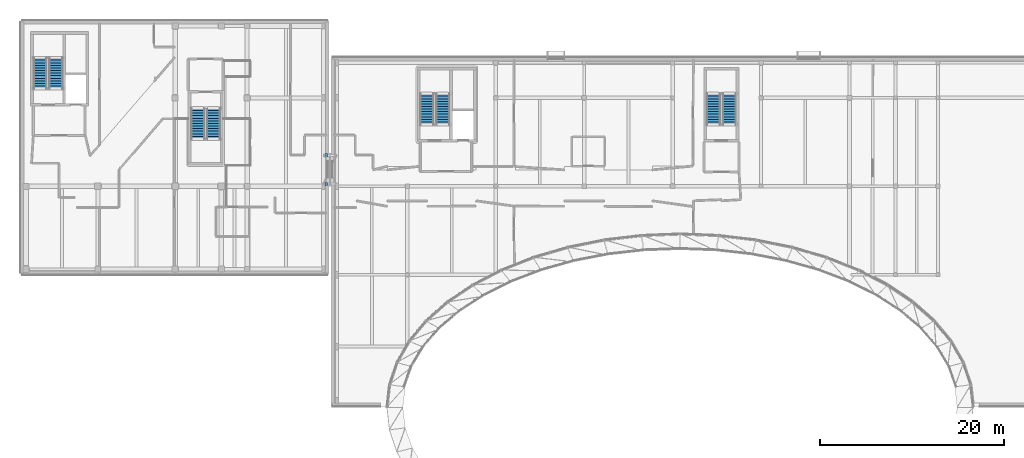
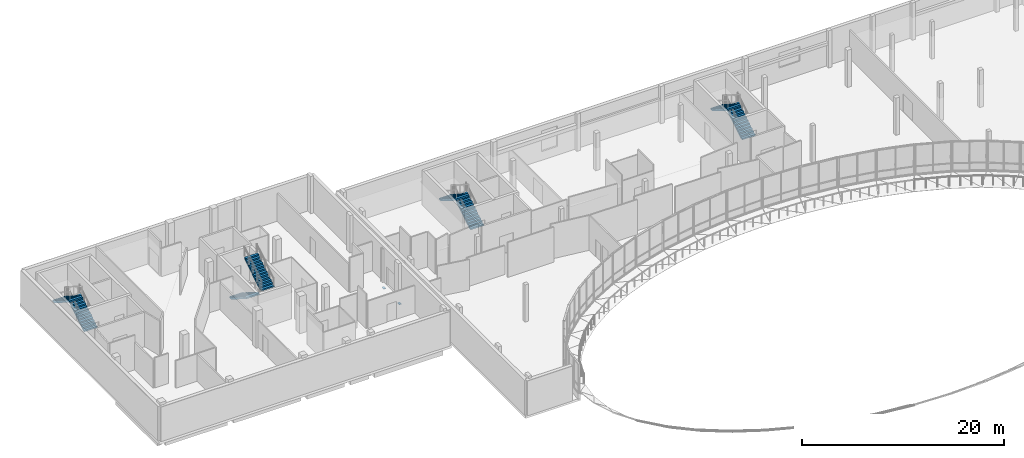
# One storey, part 29 of 41: 8 stair flights, 2 discrete accessories, 4 elements without a shape of their own.
"""IFC4 building model written with IfcOpenShell, lengths in metres."""

import ifcopenshell
import ifcopenshell.guid

model = None  # the IFC model being written
_history = None  # IfcOwnerHistory: only IFC2X3 demands one
_inside = {}  # id of a spatial element -> (the spatial element, [elements in it])
_under = {}  # id of a project, library or spatial element -> (it, [spatial elements below it])
_declared = {}  # id of a project -> (the project, [libraries it declares])
_typed = {}  # id of a type object -> (the type object, [elements of that type])
_made_of = {}  # id of a material, layer set ... -> (it, [elements and type objects made of it])


def new_model(schema):
    """Start an empty IFC model of exactly this schema.

    Asked for "IFC4X3", IfcOpenShell would pick the latest addendum, in which some entities
    have other attributes; the version numbers below select the first issue.
    IFC2X3 requires an IfcOwnerHistory on every rooted entity: one is made here for all.
    """
    global model, _history
    if schema == "IFC4X3":
        model = ifcopenshell.file(schema_version=(4, 3, 0, 0))
    else:
        model = ifcopenshell.file(schema=schema)
    _inside.clear()
    _under.clear()
    _declared.clear()
    _typed.clear()
    _made_of.clear()
    _history = None
    if model.schema == "IFC2X3":
        org = make("IfcOrganization", Name="unknown")
        user = make(
            "IfcPersonAndOrganization",
            ThePerson=make("IfcPerson", FamilyName="unknown"),
            TheOrganization=org,
        )
        app = make(
            "IfcApplication",
            ApplicationDeveloper=org,
            Version="unknown",
            ApplicationFullName="unknown",
            ApplicationIdentifier="unknown",
        )
        _history = make(
            "IfcOwnerHistory",
            OwningUser=user,
            OwningApplication=app,
            ChangeAction="ADDED",
            CreationDate=0,
        )
    return model


def make(cls, **values):
    """One entity of the class cls with the attributes given. An attribute that is None is left unset."""
    return model.create_entity(
        cls, **{name: value for name, value in values.items() if value is not None}
    )


def rooted(cls, **values):
    """An entity with a GlobalId (a new one), such as an element, a storey or a relation."""
    return make(cls, GlobalId=ifcopenshell.guid.new(), OwnerHistory=_history, **values)


def si_unit(unit_type, name, prefix=None):
    """IfcSIUnit, for example si_unit("LENGTHUNIT", "METRE", prefix="MILLI")."""
    return make("IfcSIUnit", UnitType=unit_type, Prefix=prefix, Name=name)


def assignment(units):
    """IfcUnitAssignment: the units of a project."""
    return None if units is None else make("IfcUnitAssignment", Units=units)


def point(xyz):
    """IfcCartesianPoint."""
    return None if xyz is None else make("IfcCartesianPoint", Coordinates=xyz)


def direction(xyz):
    """IfcDirection."""
    return None if xyz is None else make("IfcDirection", DirectionRatios=xyz)


def frame(location, z_axis=None, x_axis=None):
    """IfcAxis2Placement3D, a coordinate frame: its origin and axes. An axis left out is left unset."""
    return make(
        "IfcAxis2Placement3D",
        Location=point(location),
        Axis=direction(z_axis),
        RefDirection=direction(x_axis),
    )


def frame_2d(location, x_axis=None):
    """IfcAxis2Placement2D, a coordinate frame in the plane: its origin and x axis."""
    return make(
        "IfcAxis2Placement2D", Location=point(location), RefDirection=direction(x_axis)
    )


def origin():
    """The frame at (0, 0, 0) with its axes left unset."""
    return frame((0.0, 0.0, 0.0))


def origin_2d():
    """The frame at (0, 0) in the plane with its x axis left unset."""
    return frame_2d((0.0, 0.0))


def place(relative_to, where):
    """IfcLocalPlacement: puts the frame where relative to a parent placement (None: the world)."""
    return make(
        "IfcLocalPlacement", PlacementRelTo=relative_to, RelativePlacement=where
    )


def context(
    kind, dimensions, precision=None, world=None, true_north=None, identifier=None
):
    """IfcGeometricRepresentationContext, for example the 3D "Model" context."""
    return make(
        "IfcGeometricRepresentationContext",
        ContextIdentifier=identifier,
        ContextType=kind,
        CoordinateSpaceDimension=dimensions,
        Precision=precision,
        WorldCoordinateSystem=world,
        TrueNorth=true_north,
    )


def subcontext(parent, identifier, kind, view, scale=None):
    """IfcGeometricRepresentationSubContext, for example "Body" below "Model"."""
    return make(
        "IfcGeometricRepresentationSubContext",
        ContextIdentifier=identifier,
        ContextType=kind,
        ParentContext=parent,
        TargetScale=scale,
        TargetView=view,
    )


def project(units=None, contexts=None):
    """IfcProject with its units and contexts."""
    return rooted(
        "IfcProject",
        Name="project",
        RepresentationContexts=contexts,
        UnitsInContext=assignment(units),
    )


def spatial(cls, under=None, at=None, **own):
    """A site, building, storey or space (cls), placed at a placement, below another one or the project."""
    s = rooted(cls, ObjectPlacement=at, **own)
    if under is not None:
        _under.setdefault(under.id(), (under, []))[1].append(s)
    return s


def polyline(points):
    """IfcPolyline through the points."""
    return make("IfcPolyline", Points=[point(p) for p in points])


def profile(cls, at=None, kind="AREA", **sizes):
    """A parametric profile (cls). Its sizes go by their IFC names, for example OverallWidth=200.0."""
    return make(cls, ProfileType=kind, Position=at, **sizes)


def rectangle(**sizes):
    """IfcRectangleProfileDef."""
    return profile("IfcRectangleProfileDef", **sizes)


def outline(outer, holes=None, kind="AREA"):
    """IfcArbitraryClosedProfileDef: a profile drawn as a closed curve; with holes, ...WithVoids."""
    if holes is None:
        return make("IfcArbitraryClosedProfileDef", ProfileType=kind, OuterCurve=outer)
    return make(
        "IfcArbitraryProfileDefWithVoids",
        ProfileType=kind,
        OuterCurve=outer,
        InnerCurves=holes,
    )


def extrude(swept, where, along, depth):
    """IfcExtrudedAreaSolid: the profile swept, set in the frame where, extruded along a direction by depth."""
    return make(
        "IfcExtrudedAreaSolid",
        SweptArea=swept,
        Position=where,
        ExtrudedDirection=direction(along),
        Depth=depth,
    )


def shape(context_of_items, identifier, shape_type, items):
    """IfcShapeRepresentation: the items that make up one representation, for example the "Body"."""
    return make(
        "IfcShapeRepresentation",
        ContextOfItems=context_of_items,
        RepresentationIdentifier=identifier,
        RepresentationType=shape_type,
        Items=items,
    )


def material(Name=None, Category=None):
    """IfcMaterial."""
    return make("IfcMaterial", Name=Name, Category=Category)


def made_of(thing, what):
    """Note that an element or type object is made of a material, layer set ...; save() writes the relation."""
    if what is not None:
        _made_of.setdefault(what.id(), (what, []))[1].append(thing)
    return thing


def type_object(cls, material=None, **own):
    """A type object (cls), such as IfcWallType, which elements share."""
    return made_of(rooted(cls, **own), material)


def element(
    cls,
    number,
    at=None,
    inside=None,
    cuts=None,
    type_object=None,
    material=None,
    context=None,
    identifier="Body",
    shape_type=None,
    held_by="IfcProductDefinitionShape",
    body=None,
    shapes=None,
    **own,
):
    """One element of the class cls, such as IfcWall. Its Tag is "e" and its number.

    at: its placement. inside: the storey or other place that contains it. cuts: it is an
    opening in that element (IfcRelVoidsElement). A single representation is given by context,
    identifier, shape_type and body (its items); several are given by shapes. held_by: the class
    of the entity that holds the representations. save() writes the other relations.
    """
    e = rooted(cls, Tag="e%d" % number, ObjectPlacement=at, **own)
    if body is not None:
        shapes = [shape(context, identifier, shape_type, body)]
    if shapes is not None:
        e.Representation = make(held_by, Representations=shapes)
    if inside is not None:
        _inside.setdefault(inside.id(), (inside, []))[1].append(e)
    if cuts is not None:
        rooted(
            "IfcRelVoidsElement", RelatingBuildingElement=cuts, RelatedOpeningElement=e
        )
    if type_object is not None:
        _typed.setdefault(type_object.id(), (type_object, []))[1].append(e)
    return made_of(e, material)


def aggregate(whole, parts):
    """IfcRelAggregates: a whole, such as a stair, and the parts it consists of."""
    return rooted("IfcRelAggregates", RelatingObject=whole, RelatedObjects=parts)


def save(model, path):
    """Write the relations noted so far, then the file.

    IfcRelAggregates (storeys below a building ...), IfcRelContainedInSpatialStructure (elements
    in a storey), IfcRelDefinesByType, IfcRelAssociatesMaterial and IfcRelDeclares: one each for
    every whole, place, type object, material and project.
    """
    for whole, parts in _under.values():
        aggregate(whole, parts)
    for where, things in _inside.values():
        rooted(
            "IfcRelContainedInSpatialStructure",
            RelatedElements=things,
            RelatingStructure=where,
        )
    for kind, things in _typed.values():
        rooted("IfcRelDefinesByType", RelatedObjects=things, RelatingType=kind)
    for what, things in _made_of.values():
        rooted("IfcRelAssociatesMaterial", RelatedObjects=things, RelatingMaterial=what)
    for by, libraries in _declared.values():
        rooted("IfcRelDeclares", RelatingContext=by, RelatedDefinitions=libraries)
    model.write(path)


model = new_model("IFC4")

# Units and contexts
model_context = context("Model", 3, precision=1e-05, world=origin(), true_north=direction((0.0, 1.0)))
body_context = subcontext(model_context, "Body", "Model", "MODEL_VIEW")
ifc_project = project(units=[si_unit("LENGTHUNIT", "METRE"), si_unit("AREAUNIT", "SQUARE_METRE"), si_unit("VOLUMEUNIT", "CUBIC_METRE"), si_unit("PLANEANGLEUNIT", "RADIAN"), si_unit("MASSUNIT", "GRAM", prefix="KILO")], contexts=[model_context])

# Site, building, storey
site_placement = place(None, origin())
site = spatial("IfcSite", under=ifc_project, at=site_placement, CompositionType="ELEMENT")
building_placement = place(site_placement, origin())
building = spatial("IfcBuilding", under=site, at=building_placement, Name="Mzevani Central Library", CompositionType="ELEMENT")
storey_placement = place(building_placement, frame((0.0, 0.0, 13.800048828125)))
storey = spatial("IfcBuildingStorey", under=building, at=storey_placement, Name="L03", CompositionType="ELEMENT", Elevation=13.800048828125)

# Stair, stair flights
ifc_material_1 = material(Name="Concrete C35/45", Category="concrete")
stair_type = type_object("IfcStairType", Name="Dogleg Exit Stair 173x280", PredefinedType="HALF_TURN_STAIR", material=ifc_material_1)
stair_1_placement = place(storey_placement, origin())
stair_1 = element("IfcStair", 1, at=stair_1_placement, inside=storey, type_object=stair_type, Name="L03 Core C2A North-West Firefighting Core Exit Stair ST-03", PredefinedType="HALF_TURN_STAIR")
stair_flight_type = type_object("IfcStairFlightType", Name="Reinforced Concrete Stair Flight 173x280", PredefinedType="STRAIGHT", material=ifc_material_1)
stair_flight_1_placement = place(storey_placement, frame((16.25, 110.60009765625, 0.0), z_axis=(0.0, 0.0, 1.0), x_axis=(0.0, 1.0, 0.0)))
stair_flight_1 = element("IfcStairFlight", 2, at=stair_flight_1_placement, type_object=stair_flight_type, Name="ST-03 flight 1", NumberOfRisers=13, NumberOfTreads=12, PredefinedType="STRAIGHT", RiserHeight=0.173076923, TreadLength=0.28, context=body_context, shape_type="SweptSolid", body=[
    extrude(outline(polyline([(0.0, 0.0), (0.0, 0.173095703125), (0.280029296875, 0.173095703125), (0.280029296875, 0.34619140625), (0.56005859375, 0.34619140625), (0.56005859375, 0.519287109375), (0.840087890625, 0.519287109375), (0.840087890625, 0.6923828125), (1.1201171875, 0.6923828125), (1.1201171875, 0.865478515625), (1.39990234375, 0.865478515625), (1.39990234375, 1.03857421875), (1.679931640625, 1.03857421875), (1.679931640625, 1.21142578125), (1.9599609375, 1.21142578125), (1.9599609375, 1.384521484375), (2.239990234375, 1.384521484375), (2.239990234375, 1.5576171875), (2.52001953125, 1.5576171875), (2.52001953125, 1.730712890625), (2.800048828125, 1.730712890625), (2.800048828125, 1.90380859375), (3.080078125, 1.90380859375), (3.080078125, 2.076904296875), (3.360107421875, 2.076904296875), (3.360107421875, 2.25), (3.360107421875, 1.888916015625), (0.30419921875, 0.0), (0.0, 0.0)])), frame((0.0, 0.75, 0.0), z_axis=(0.0, -1.0, 0.0), x_axis=(1.0, 0.0, 0.0)), (0.0, 0.0, 1.0), 1.5),
])
stair_flight_2_placement = place(storey_placement, frame((14.550048828125, 113.9599609375, 2.25), z_axis=(0.0, 0.0, 1.0), x_axis=(0.0, -1.0, 0.0)))
stair_flight_2 = element("IfcStairFlight", 3, at=stair_flight_2_placement, type_object=stair_flight_type, Name="ST-03 flight 2", NumberOfRisers=13, NumberOfTreads=12, PredefinedType="STRAIGHT", RiserHeight=0.173076923, TreadLength=0.28, context=body_context, shape_type="SweptSolid", body=[
    extrude(outline(polyline([(0.0, 0.0), (0.0, 0.173095703125), (0.280029296875, 0.173095703125), (0.280029296875, 0.34619140625), (0.56005859375, 0.34619140625), (0.56005859375, 0.519287109375), (0.840087890625, 0.519287109375), (0.840087890625, 0.6923828125), (1.1201171875, 0.6923828125), (1.1201171875, 0.865478515625), (1.39990234375, 0.865478515625), (1.39990234375, 1.03857421875), (1.679931640625, 1.03857421875), (1.679931640625, 1.21142578125), (1.9599609375, 1.21142578125), (1.9599609375, 1.384521484375), (2.239990234375, 1.384521484375), (2.239990234375, 1.5576171875), (2.52001953125, 1.5576171875), (2.52001953125, 1.730712890625), (2.800048828125, 1.730712890625), (2.800048828125, 1.90380859375), (3.080078125, 1.90380859375), (3.080078125, 2.076904296875), (3.360107421875, 2.076904296875), (3.360107421875, 2.25), (3.360107421875, 1.888916015625), (0.30419921875, 0.0), (0.0, 0.0)])), frame((0.0, 0.75, 0.0), z_axis=(0.0, -1.0, 0.0), x_axis=(1.0, 0.0, 0.0)), (0.0, 0.0, 1.0), 1.5),
])
aggregate(stair_1, [stair_flight_1, stair_flight_2])

stair_2_placement = place(storey_placement, origin())
stair_2 = element("IfcStair", 4, at=stair_2_placement, inside=storey, type_object=stair_type, Name="L03 Core C2B Stacks East Escape Stair Exit Stair ST-03", PredefinedType="HALF_TURN_STAIR")
stair_flight_3_placement = place(storey_placement, frame((31.64990234375, 108.5, 0.0), z_axis=(0.0, 0.0, 1.0), x_axis=(0.0, -1.0, 0.0)))
stair_flight_3 = element("IfcStairFlight", 5, at=stair_flight_3_placement, type_object=stair_flight_type, Name="ST-04 flight 1", NumberOfRisers=13, NumberOfTreads=12, PredefinedType="STRAIGHT", RiserHeight=0.173076923, TreadLength=0.28, context=body_context, shape_type="SweptSolid", body=[
    extrude(outline(polyline([(0.0, 0.0), (0.0, 0.173095703125), (0.280029296875, 0.173095703125), (0.280029296875, 0.34619140625), (0.56005859375, 0.34619140625), (0.56005859375, 0.519287109375), (0.840087890625, 0.519287109375), (0.840087890625, 0.6923828125), (1.1201171875, 0.6923828125), (1.1201171875, 0.865478515625), (1.39990234375, 0.865478515625), (1.39990234375, 1.03857421875), (1.679931640625, 1.03857421875), (1.679931640625, 1.21142578125), (1.9599609375, 1.21142578125), (1.9599609375, 1.384521484375), (2.239990234375, 1.384521484375), (2.239990234375, 1.5576171875), (2.52001953125, 1.5576171875), (2.52001953125, 1.730712890625), (2.800048828125, 1.730712890625), (2.800048828125, 1.90380859375), (3.080078125, 1.90380859375), (3.080078125, 2.076904296875), (3.360107421875, 2.076904296875), (3.360107421875, 2.25), (3.360107421875, 1.888916015625), (0.30419921875, 0.0), (0.0, 0.0)])), frame((0.0, 0.75, 0.0), z_axis=(0.0, -1.0, 0.0), x_axis=(1.0, 0.0, 0.0)), (0.0, 0.0, 1.0), 1.5),
])
stair_flight_4_placement = place(storey_placement, frame((33.35009765625, 105.139892578125, 2.25), z_axis=(0.0, 0.0, 1.0), x_axis=(0.0, 1.0, 0.0)))
stair_flight_4 = element("IfcStairFlight", 6, at=stair_flight_4_placement, type_object=stair_flight_type, Name="ST-04 flight 2", NumberOfRisers=13, NumberOfTreads=12, PredefinedType="STRAIGHT", RiserHeight=0.173076923, TreadLength=0.28, context=body_context, shape_type="SweptSolid", body=[
    extrude(outline(polyline([(0.0, 0.0), (0.0, 0.173095703125), (0.280029296875, 0.173095703125), (0.280029296875, 0.34619140625), (0.56005859375, 0.34619140625), (0.56005859375, 0.519287109375), (0.840087890625, 0.519287109375), (0.840087890625, 0.6923828125), (1.1201171875, 0.6923828125), (1.1201171875, 0.865478515625), (1.39990234375, 0.865478515625), (1.39990234375, 1.03857421875), (1.679931640625, 1.03857421875), (1.679931640625, 1.21142578125), (1.9599609375, 1.21142578125), (1.9599609375, 1.384521484375), (2.239990234375, 1.384521484375), (2.239990234375, 1.5576171875), (2.52001953125, 1.5576171875), (2.52001953125, 1.730712890625), (2.800048828125, 1.730712890625), (2.800048828125, 1.90380859375), (3.080078125, 1.90380859375), (3.080078125, 2.076904296875), (3.360107421875, 2.076904296875), (3.360107421875, 2.25), (3.360107421875, 1.888916015625), (0.30419921875, 0.0), (0.0, 0.0)])), frame((0.0, 0.75, 0.0), z_axis=(0.0, -1.0, 0.0), x_axis=(1.0, 0.0, 0.0)), (0.0, 0.0, 1.0), 1.5),
])
aggregate(stair_2, [stair_flight_3, stair_flight_4])

stair_3_placement = place(storey_placement, origin())
stair_3 = element("IfcStair", 7, at=stair_3_placement, inside=storey, type_object=stair_type, Name="L03 Core C3A North-East Firefighting Core Exit Stair ST-03", PredefinedType="HALF_TURN_STAIR")
stair_flight_5_placement = place(storey_placement, frame((58.25, 106.699951171875, 0.0), z_axis=(0.0, 0.0, 1.0), x_axis=(0.0, 1.0, 0.0)))
stair_flight_5 = element("IfcStairFlight", 8, at=stair_flight_5_placement, type_object=stair_flight_type, Name="ST-05 flight 1", NumberOfRisers=13, NumberOfTreads=12, PredefinedType="STRAIGHT", RiserHeight=0.173076923, TreadLength=0.28, context=body_context, shape_type="SweptSolid", body=[
    extrude(outline(polyline([(0.0, 0.0), (0.0, 0.173095703125), (0.280029296875, 0.173095703125), (0.280029296875, 0.34619140625), (0.56005859375, 0.34619140625), (0.56005859375, 0.519287109375), (0.840087890625, 0.519287109375), (0.840087890625, 0.6923828125), (1.1201171875, 0.6923828125), (1.1201171875, 0.865478515625), (1.39990234375, 0.865478515625), (1.39990234375, 1.03857421875), (1.679931640625, 1.03857421875), (1.679931640625, 1.21142578125), (1.9599609375, 1.21142578125), (1.9599609375, 1.384521484375), (2.239990234375, 1.384521484375), (2.239990234375, 1.5576171875), (2.52001953125, 1.5576171875), (2.52001953125, 1.730712890625), (2.800048828125, 1.730712890625), (2.800048828125, 1.90380859375), (3.080078125, 1.90380859375), (3.080078125, 2.076904296875), (3.360107421875, 2.076904296875), (3.360107421875, 2.25), (3.360107421875, 1.888916015625), (0.30419921875, 0.0), (0.0, 0.0)])), frame((0.0, 0.75, 0.0), z_axis=(0.0, -1.0, 0.0), x_axis=(1.0, 0.0, 0.0)), (0.0, 0.0, 1.0), 1.5),
])
stair_flight_6_placement = place(storey_placement, frame((56.550048828125, 110.06005859375, 2.25), z_axis=(0.0, 0.0, 1.0), x_axis=(0.0, -1.0, 0.0)))
stair_flight_6 = element("IfcStairFlight", 9, at=stair_flight_6_placement, type_object=stair_flight_type, Name="ST-05 flight 2", NumberOfRisers=13, NumberOfTreads=12, PredefinedType="STRAIGHT", RiserHeight=0.173076923, TreadLength=0.28, context=body_context, shape_type="SweptSolid", body=[
    extrude(outline(polyline([(0.0, 0.0), (0.0, 0.173095703125), (0.280029296875, 0.173095703125), (0.280029296875, 0.34619140625), (0.56005859375, 0.34619140625), (0.56005859375, 0.519287109375), (0.840087890625, 0.519287109375), (0.840087890625, 0.6923828125), (1.1201171875, 0.6923828125), (1.1201171875, 0.865478515625), (1.39990234375, 0.865478515625), (1.39990234375, 1.03857421875), (1.679931640625, 1.03857421875), (1.679931640625, 1.21142578125), (1.9599609375, 1.21142578125), (1.9599609375, 1.384521484375), (2.239990234375, 1.384521484375), (2.239990234375, 1.5576171875), (2.52001953125, 1.5576171875), (2.52001953125, 1.730712890625), (2.800048828125, 1.730712890625), (2.800048828125, 1.90380859375), (3.080078125, 1.90380859375), (3.080078125, 2.076904296875), (3.360107421875, 2.076904296875), (3.360107421875, 2.25), (3.360107421875, 1.888916015625), (0.30419921875, 0.0), (0.0, 0.0)])), frame((0.0, 0.75, 0.0), z_axis=(0.0, -1.0, 0.0), x_axis=(1.0, 0.0, 0.0)), (0.0, 0.0, 1.0), 1.5),
])
aggregate(stair_3, [stair_flight_5, stair_flight_6])

stair_4_placement = place(storey_placement, origin())
stair_4 = element("IfcStair", 10, at=stair_4_placement, inside=storey, type_object=stair_type, Name="L03 Core C3B Atrium East Escape Stair Exit Stair ST-03", PredefinedType="HALF_TURN_STAIR")
stair_flight_7_placement = place(storey_placement, frame((89.35009765625, 106.699951171875, 0.0), z_axis=(0.0, 0.0, 1.0), x_axis=(0.0, 1.0, 0.0)))
stair_flight_7 = element("IfcStairFlight", 11, at=stair_flight_7_placement, type_object=stair_flight_type, Name="ST-06 flight 1", NumberOfRisers=13, NumberOfTreads=12, PredefinedType="STRAIGHT", RiserHeight=0.173076923, TreadLength=0.28, context=body_context, shape_type="SweptSolid", body=[
    extrude(outline(polyline([(0.0, 0.0), (0.0, 0.173095703125), (0.280029296875, 0.173095703125), (0.280029296875, 0.34619140625), (0.56005859375, 0.34619140625), (0.56005859375, 0.519287109375), (0.840087890625, 0.519287109375), (0.840087890625, 0.6923828125), (1.1201171875, 0.6923828125), (1.1201171875, 0.865478515625), (1.39990234375, 0.865478515625), (1.39990234375, 1.03857421875), (1.679931640625, 1.03857421875), (1.679931640625, 1.21142578125), (1.9599609375, 1.21142578125), (1.9599609375, 1.384521484375), (2.239990234375, 1.384521484375), (2.239990234375, 1.5576171875), (2.52001953125, 1.5576171875), (2.52001953125, 1.730712890625), (2.800048828125, 1.730712890625), (2.800048828125, 1.90380859375), (3.080078125, 1.90380859375), (3.080078125, 2.076904296875), (3.360107421875, 2.076904296875), (3.360107421875, 2.25), (3.360107421875, 1.888916015625), (0.30419921875, 0.0), (0.0, 0.0)])), frame((0.0, 0.75, 0.0), z_axis=(0.0, -1.0, 0.0), x_axis=(1.0, 0.0, 0.0)), (0.0, 0.0, 1.0), 1.5),
])
stair_flight_8_placement = place(storey_placement, frame((87.64990234375, 110.06005859375, 2.25), z_axis=(0.0, 0.0, 1.0), x_axis=(0.0, -1.0, 0.0)))
stair_flight_8 = element("IfcStairFlight", 12, at=stair_flight_8_placement, type_object=stair_flight_type, Name="ST-06 flight 2", NumberOfRisers=13, NumberOfTreads=12, PredefinedType="STRAIGHT", RiserHeight=0.173076923, TreadLength=0.28, context=body_context, shape_type="SweptSolid", body=[
    extrude(outline(polyline([(0.0, 0.0), (0.0, 0.173095703125), (0.280029296875, 0.173095703125), (0.280029296875, 0.34619140625), (0.56005859375, 0.34619140625), (0.56005859375, 0.519287109375), (0.840087890625, 0.519287109375), (0.840087890625, 0.6923828125), (1.1201171875, 0.6923828125), (1.1201171875, 0.865478515625), (1.39990234375, 0.865478515625), (1.39990234375, 1.03857421875), (1.679931640625, 1.03857421875), (1.679931640625, 1.21142578125), (1.9599609375, 1.21142578125), (1.9599609375, 1.384521484375), (2.239990234375, 1.384521484375), (2.239990234375, 1.5576171875), (2.52001953125, 1.5576171875), (2.52001953125, 1.730712890625), (2.800048828125, 1.730712890625), (2.800048828125, 1.90380859375), (3.080078125, 1.90380859375), (3.080078125, 2.076904296875), (3.360107421875, 2.076904296875), (3.360107421875, 2.25), (3.360107421875, 1.888916015625), (0.30419921875, 0.0), (0.0, 0.0)])), frame((0.0, 0.75, 0.0), z_axis=(0.0, -1.0, 0.0), x_axis=(1.0, 0.0, 0.0)), (0.0, 0.0, 1.0), 1.5),
])
aggregate(stair_4, [stair_flight_7, stair_flight_8])

# Discrete accessories
ifc_material_2 = material(Name="PTFE elastomer and Steel S355J2", Category="steel")
discrete_accessory_type = type_object("IfcDiscreteAccessoryType", Name="PTFE Bidirectional Seismic Sliding Bearing", PredefinedType="USERDEFINED", material=ifc_material_2)
for number, where, z_axis, x_axis, name in (
    (13, (45.60009765625, 100.25, -0.865234375), (0.0, 0.0, 1.0), (1.0, 0.0, 0.0), "Stacks-Court Seismic Passage L03 PTFE Sliding Bearing 1"),
    (14, (45.60009765625, 103.35009765625, -0.865234375), (0.0, 0.0, 1.0), (1.0, 0.0, 0.0), "Stacks-Court Seismic Passage L03 PTFE Sliding Bearing 2"),
):
    element("IfcDiscreteAccessory", number, at=place(storey_placement, frame(where, z_axis=z_axis, x_axis=x_axis)), inside=storey, type_object=discrete_accessory_type, Name=name, ObjectType="PTFE SLIDING BEARING", PredefinedType="USERDEFINED", context=body_context, shape_type="SweptSolid", body=[
        extrude(rectangle(XDim=0.25, YDim=0.360107421875, at=origin_2d()), origin(), (0.0, 0.0, 1.0), 0.090087890625),
    ])

save(model, "model.ifc")
